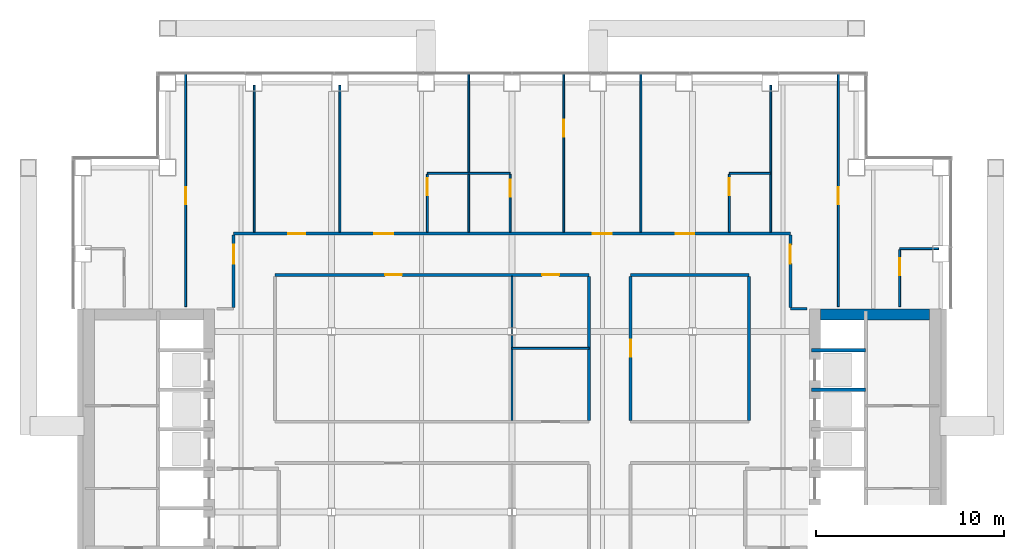
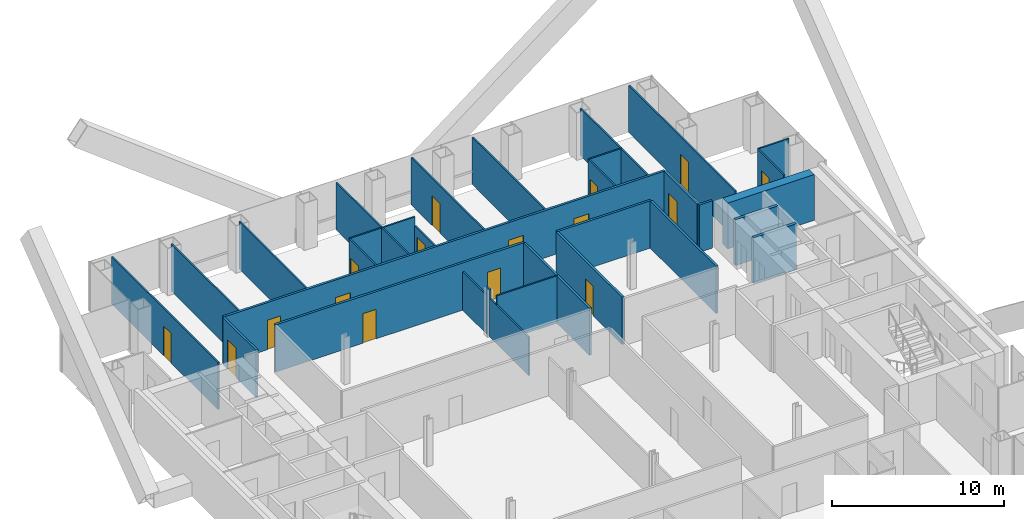
# One storey, part 14 of 17: 32 walls, 16 doors, 16 openings.
"""IFC4 building model written with IfcOpenShell, lengths in metres."""

import ifcopenshell
import ifcopenshell.guid

model = None  # the IFC model being written
_history = None  # IfcOwnerHistory: only IFC2X3 demands one
_inside = {}  # id of a spatial element -> (the spatial element, [elements in it])
_under = {}  # id of a project, library or spatial element -> (it, [spatial elements below it])
_declared = {}  # id of a project -> (the project, [libraries it declares])
_typed = {}  # id of a type object -> (the type object, [elements of that type])
_made_of = {}  # id of a material, layer set ... -> (it, [elements and type objects made of it])


def new_model(schema):
    """Start an empty IFC model of exactly this schema.

    Asked for "IFC4X3", IfcOpenShell would pick the latest addendum, in which some entities
    have other attributes; the version numbers below select the first issue.
    IFC2X3 requires an IfcOwnerHistory on every rooted entity: one is made here for all.
    """
    global model, _history
    if schema == "IFC4X3":
        model = ifcopenshell.file(schema_version=(4, 3, 0, 0))
    else:
        model = ifcopenshell.file(schema=schema)
    _inside.clear()
    _under.clear()
    _declared.clear()
    _typed.clear()
    _made_of.clear()
    _history = None
    if model.schema == "IFC2X3":
        org = make("IfcOrganization", Name="unknown")
        user = make(
            "IfcPersonAndOrganization",
            ThePerson=make("IfcPerson", FamilyName="unknown"),
            TheOrganization=org,
        )
        app = make(
            "IfcApplication",
            ApplicationDeveloper=org,
            Version="unknown",
            ApplicationFullName="unknown",
            ApplicationIdentifier="unknown",
        )
        _history = make(
            "IfcOwnerHistory",
            OwningUser=user,
            OwningApplication=app,
            ChangeAction="ADDED",
            CreationDate=0,
        )
    return model


def make(cls, **values):
    """One entity of the class cls with the attributes given. An attribute that is None is left unset."""
    return model.create_entity(
        cls, **{name: value for name, value in values.items() if value is not None}
    )


def rooted(cls, **values):
    """An entity with a GlobalId (a new one), such as an element, a storey or a relation."""
    return make(cls, GlobalId=ifcopenshell.guid.new(), OwnerHistory=_history, **values)


def si_unit(unit_type, name, prefix=None):
    """IfcSIUnit, for example si_unit("LENGTHUNIT", "METRE", prefix="MILLI")."""
    return make("IfcSIUnit", UnitType=unit_type, Prefix=prefix, Name=name)


def assignment(units):
    """IfcUnitAssignment: the units of a project."""
    return None if units is None else make("IfcUnitAssignment", Units=units)


def point(xyz):
    """IfcCartesianPoint."""
    return None if xyz is None else make("IfcCartesianPoint", Coordinates=xyz)


def direction(xyz):
    """IfcDirection."""
    return None if xyz is None else make("IfcDirection", DirectionRatios=xyz)


def frame(location, z_axis=None, x_axis=None):
    """IfcAxis2Placement3D, a coordinate frame: its origin and axes. An axis left out is left unset."""
    return make(
        "IfcAxis2Placement3D",
        Location=point(location),
        Axis=direction(z_axis),
        RefDirection=direction(x_axis),
    )


def frame_2d(location, x_axis=None):
    """IfcAxis2Placement2D, a coordinate frame in the plane: its origin and x axis."""
    return make(
        "IfcAxis2Placement2D", Location=point(location), RefDirection=direction(x_axis)
    )


def origin():
    """The frame at (0, 0, 0) with its axes left unset."""
    return frame((0.0, 0.0, 0.0))


def place(relative_to, where):
    """IfcLocalPlacement: puts the frame where relative to a parent placement (None: the world)."""
    return make(
        "IfcLocalPlacement", PlacementRelTo=relative_to, RelativePlacement=where
    )


def context(
    kind, dimensions, precision=None, world=None, true_north=None, identifier=None
):
    """IfcGeometricRepresentationContext, for example the 3D "Model" context."""
    return make(
        "IfcGeometricRepresentationContext",
        ContextIdentifier=identifier,
        ContextType=kind,
        CoordinateSpaceDimension=dimensions,
        Precision=precision,
        WorldCoordinateSystem=world,
        TrueNorth=true_north,
    )


def subcontext(parent, identifier, kind, view, scale=None):
    """IfcGeometricRepresentationSubContext, for example "Body" below "Model"."""
    return make(
        "IfcGeometricRepresentationSubContext",
        ContextIdentifier=identifier,
        ContextType=kind,
        ParentContext=parent,
        TargetScale=scale,
        TargetView=view,
    )


def project(units=None, contexts=None):
    """IfcProject with its units and contexts."""
    return rooted(
        "IfcProject",
        Name="project",
        RepresentationContexts=contexts,
        UnitsInContext=assignment(units),
    )


def spatial(cls, under=None, at=None, **own):
    """A site, building, storey or space (cls), placed at a placement, below another one or the project."""
    s = rooted(cls, ObjectPlacement=at, **own)
    if under is not None:
        _under.setdefault(under.id(), (under, []))[1].append(s)
    return s


def profile(cls, at=None, kind="AREA", **sizes):
    """A parametric profile (cls). Its sizes go by their IFC names, for example OverallWidth=200.0."""
    return make(cls, ProfileType=kind, Position=at, **sizes)


def rectangle(**sizes):
    """IfcRectangleProfileDef."""
    return profile("IfcRectangleProfileDef", **sizes)


def extrude(swept, where, along, depth):
    """IfcExtrudedAreaSolid: the profile swept, set in the frame where, extruded along a direction by depth."""
    return make(
        "IfcExtrudedAreaSolid",
        SweptArea=swept,
        Position=where,
        ExtrudedDirection=direction(along),
        Depth=depth,
    )


def shape(context_of_items, identifier, shape_type, items):
    """IfcShapeRepresentation: the items that make up one representation, for example the "Body"."""
    return make(
        "IfcShapeRepresentation",
        ContextOfItems=context_of_items,
        RepresentationIdentifier=identifier,
        RepresentationType=shape_type,
        Items=items,
    )


def material(Name=None, Category=None):
    """IfcMaterial."""
    return make("IfcMaterial", Name=Name, Category=Category)


def layer(
    of_material, thickness, ventilated=None, Name=None, Category=None, Priority=None
):
    """IfcMaterialLayer: one layer of a wall or slab, of a material (None: an air gap)."""
    return make(
        "IfcMaterialLayer",
        Material=of_material,
        LayerThickness=thickness,
        IsVentilated=ventilated,
        Name=Name,
        Category=Category,
        Priority=Priority,
    )


def layer_set(layers, Name=None):
    """IfcMaterialLayerSet."""
    return make("IfcMaterialLayerSet", MaterialLayers=layers, LayerSetName=Name)


def made_of(thing, what):
    """Note that an element or type object is made of a material, layer set ...; save() writes the relation."""
    if what is not None:
        _made_of.setdefault(what.id(), (what, []))[1].append(thing)
    return thing


def type_object(cls, material=None, **own):
    """A type object (cls), such as IfcWallType, which elements share."""
    return made_of(rooted(cls, **own), material)


def element(
    cls,
    number,
    at=None,
    inside=None,
    cuts=None,
    type_object=None,
    material=None,
    context=None,
    identifier="Body",
    shape_type=None,
    held_by="IfcProductDefinitionShape",
    body=None,
    shapes=None,
    **own,
):
    """One element of the class cls, such as IfcWall. Its Tag is "e" and its number.

    at: its placement. inside: the storey or other place that contains it. cuts: it is an
    opening in that element (IfcRelVoidsElement). A single representation is given by context,
    identifier, shape_type and body (its items); several are given by shapes. held_by: the class
    of the entity that holds the representations. save() writes the other relations.
    """
    e = rooted(cls, Tag="e%d" % number, ObjectPlacement=at, **own)
    if body is not None:
        shapes = [shape(context, identifier, shape_type, body)]
    if shapes is not None:
        e.Representation = make(held_by, Representations=shapes)
    if inside is not None:
        _inside.setdefault(inside.id(), (inside, []))[1].append(e)
    if cuts is not None:
        rooted(
            "IfcRelVoidsElement", RelatingBuildingElement=cuts, RelatedOpeningElement=e
        )
    if type_object is not None:
        _typed.setdefault(type_object.id(), (type_object, []))[1].append(e)
    return made_of(e, material)


def fill(opening, filler):
    """IfcRelFillsElement: the door or window that sits in an opening."""
    return rooted(
        "IfcRelFillsElement",
        RelatingOpeningElement=opening,
        RelatedBuildingElement=filler,
    )


def aggregate(whole, parts):
    """IfcRelAggregates: a whole, such as a stair, and the parts it consists of."""
    return rooted("IfcRelAggregates", RelatingObject=whole, RelatedObjects=parts)


def save(model, path):
    """Write the relations noted so far, then the file.

    IfcRelAggregates (storeys below a building ...), IfcRelContainedInSpatialStructure (elements
    in a storey), IfcRelDefinesByType, IfcRelAssociatesMaterial and IfcRelDeclares: one each for
    every whole, place, type object, material and project.
    """
    for whole, parts in _under.values():
        aggregate(whole, parts)
    for where, things in _inside.values():
        rooted(
            "IfcRelContainedInSpatialStructure",
            RelatedElements=things,
            RelatingStructure=where,
        )
    for kind, things in _typed.values():
        rooted("IfcRelDefinesByType", RelatedObjects=things, RelatingType=kind)
    for what, things in _made_of.values():
        rooted("IfcRelAssociatesMaterial", RelatedObjects=things, RelatingMaterial=what)
    for by, libraries in _declared.values():
        rooted("IfcRelDeclares", RelatingContext=by, RelatedDefinitions=libraries)
    model.write(path)


model = new_model("IFC4")

# Units and contexts
model_context = context("Model", 3, precision=1e-05, world=origin(), true_north=direction((0.0, 1.0)))
body_context = subcontext(model_context, "Body", "Model", "MODEL_VIEW")
ifc_project = project(units=[si_unit("LENGTHUNIT", "METRE"), si_unit("AREAUNIT", "SQUARE_METRE"), si_unit("VOLUMEUNIT", "CUBIC_METRE"), si_unit("PLANEANGLEUNIT", "RADIAN"), si_unit("MASSUNIT", "GRAM", prefix="KILO")], contexts=[model_context])

# Site, building, storey
site_placement = place(None, origin())
site = spatial("IfcSite", under=ifc_project, at=site_placement, CompositionType="ELEMENT")
building_placement = place(site_placement, origin())
building = spatial("IfcBuilding", under=site, at=building_placement, Name="Cobrizo Arcos Hotel Tower", CompositionType="ELEMENT")
storey_placement = place(building_placement, frame((0.0, 0.0, 106.5)))
storey = spatial("IfcBuildingStorey", under=building, at=storey_placement, Name="L26", CompositionType="ELEMENT", Elevation=106.5)

# Wall
ifc_material_1 = material(Name="Gypsum board partition")
ifc_layer_1 = layer(ifc_material_1, 0.14990234375)
ifc_layer_set_1 = layer_set([ifc_layer_1], Name="Corridor wall EI 60 150")
wall_type_1 = type_object("IfcWallType", Name="Corridor wall EI 60 150", PredefinedType="PARTITIONING", material=ifc_layer_set_1)
wall_1_placement = place(storey_placement, frame((14.800048828125, 10.800048828125, 0.0), z_axis=(0.0, 0.0, 1.0), x_axis=(1.0, 0.0, 0.0)))
element("IfcWall", 1, at=wall_1_placement, inside=storey, type_object=wall_type_1, Name="Partition 042", PredefinedType="PARTITIONING", context=body_context, shape_type="SweptSolid", body=[
    extrude(rectangle(XDim=0.8798828125, YDim=0.14990234375, at=frame_2d((0.43994140625, 0.0))), origin(), (0.0, 0.0, 1.0), 3.35009765625),
])

# Wall, openings, doors
wall_2_placement = place(storey_placement, frame((-12.60009765625, 12.60009765625, 0.0), z_axis=(0.0, 0.0, 1.0), x_axis=(1.0, 0.0, 0.0)))
wall_2 = element("IfcWall", 2, at=wall_2_placement, inside=storey, type_object=wall_type_1, Name="Partition 043", PredefinedType="PARTITIONING", context=body_context, shape_type="SweptSolid", body=[
    extrude(rectangle(XDim=16.7001953125, YDim=0.14990234375, at=frame_2d((8.35009765625, 0.0))), origin(), (0.0, 0.0, 1.0), 3.35009765625),
])
opening_1_placement = place(wall_2_placement, frame((14.199951171875, 0.0, 0.0)))
opening_1 = element("IfcOpeningElement", 3, at=opening_1_placement, cuts=wall_2, Name="Opening ED-14", PredefinedType="OPENING", context=body_context, shape_type="SweptSolid", body=[
    extrude(rectangle(XDim=0.89990234375, YDim=2.10009765625, at=frame_2d((0.449951171875, 1.050048828125))), frame((0.0, 0.0869140625, 0.0), z_axis=(0.0, -1.0, 0.0), x_axis=(1.0, 0.0, 0.0)), (0.0, 0.0, 1.0), 0.173828125),
])
opening_2_placement = place(wall_2_placement, frame((5.85009765625, 0.0, 0.0)))
opening_2 = element("IfcOpeningElement", 4, at=opening_2_placement, cuts=wall_2, Name="Opening RD-22", PredefinedType="OPENING", context=body_context, shape_type="SweptSolid", body=[
    extrude(rectangle(XDim=0.89990234375, YDim=2.10009765625, at=frame_2d((0.449951171875, 1.050048828125))), frame((0.0, 0.0869140625, 0.0), z_axis=(0.0, -1.0, 0.0), x_axis=(1.0, 0.0, 0.0)), (0.0, 0.0, 1.0), 0.173828125),
])
ifc_material_2 = material(Name="Timber door leaf", Category="wood")
door_type_1 = type_object("IfcDoorType", Name="En-suite door 900x2100", OperationType="SINGLE_SWING_LEFT", PredefinedType="DOOR", material=ifc_material_2)
door_1_placement = place(opening_1_placement, origin())
door_1 = element("IfcDoor", 5, at=door_1_placement, inside=storey, type_object=door_type_1, Name="Door ED-14", OperationType="SINGLE_SWING_LEFT", OverallHeight=2.10009765625, OverallWidth=0.89990234375, PredefinedType="DOOR", context=body_context, shape_type="SweptSolid", body=[
    extrude(rectangle(XDim=0.89990234375, YDim=2.10009765625, at=frame_2d((0.449951171875, 1.050048828125))), frame((0.0, 0.02490234375, 0.0), z_axis=(0.0, -1.0, 0.0), x_axis=(1.0, 0.0, 0.0)), (0.0, 0.0, 1.0), 0.050048828125),
])
fill(opening_1, door_1)
door_type_2 = type_object("IfcDoorType", Name="Room door FD30 900x2100", OperationType="SINGLE_SWING_LEFT", PredefinedType="DOOR", material=ifc_material_2)
door_2_placement = place(opening_2_placement, origin())
door_2 = element("IfcDoor", 6, at=door_2_placement, inside=storey, type_object=door_type_2, Name="Door RD-22", OperationType="SINGLE_SWING_RIGHT", OverallHeight=2.10009765625, OverallWidth=0.89990234375, PredefinedType="DOOR", context=body_context, shape_type="SweptSolid", body=[
    extrude(rectangle(XDim=0.89990234375, YDim=2.10009765625, at=frame_2d((0.449951171875, 1.050048828125))), frame((0.0, 0.02490234375, 0.0), z_axis=(0.0, -1.0, 0.0), x_axis=(1.0, 0.0, 0.0)), (0.0, 0.0, 1.0), 0.050048828125),
])
fill(opening_2, door_2)

# Wall
wall_3_placement = place(storey_placement, frame((6.300048828125, 12.60009765625, 0.0), z_axis=(0.0, 0.0, 1.0), x_axis=(1.0, 0.0, 0.0)))
element("IfcWall", 7, at=wall_3_placement, inside=storey, type_object=wall_type_1, Name="Partition 044", PredefinedType="PARTITIONING", context=body_context, shape_type="SweptSolid", body=[
    extrude(rectangle(XDim=6.300048828125, YDim=0.14990234375, at=frame_2d((3.14990234375, 0.0))), origin(), (0.0, 0.0, 1.0), 3.35009765625),
])

# Wall, openings, doors
wall_4_placement = place(storey_placement, frame((-14.800048828125, 14.800048828125, 0.0), z_axis=(0.0, 0.0, 1.0), x_axis=(1.0, 0.0, 0.0)))
wall_4 = element("IfcWall", 8, at=wall_4_placement, inside=storey, type_object=wall_type_1, Name="Partition 047", PredefinedType="PARTITIONING", context=body_context, shape_type="SweptSolid", body=[
    extrude(rectangle(XDim=29.60009765625, YDim=0.14990234375, at=frame_2d((14.800048828125, 0.0))), origin(), (0.0, 0.0, 1.0), 3.35009765625),
])
opening_3_placement = place(wall_4_placement, frame((2.9130859375, 0.0, 0.0)))
opening_3 = element("IfcOpeningElement", 9, at=opening_3_placement, cuts=wall_4, Name="Opening RD-11", PredefinedType="OPENING", context=body_context, shape_type="SweptSolid", body=[
    extrude(rectangle(XDim=0.89990234375, YDim=2.10009765625, at=frame_2d((0.449951171875, 1.050048828125))), frame((0.0, 0.0869140625, 0.0), z_axis=(0.0, -1.0, 0.0), x_axis=(1.0, 0.0, 0.0)), (0.0, 0.0, 1.0), 0.173828125),
])
opening_4_placement = place(wall_4_placement, frame((7.48095703125, 0.0, 0.0)))
opening_4 = element("IfcOpeningElement", 10, at=opening_4_placement, cuts=wall_4, Name="Opening GD-01", PredefinedType="OPENING", context=body_context, shape_type="SweptSolid", body=[
    extrude(rectangle(XDim=1.0, YDim=2.10009765625, at=frame_2d((0.5, 1.050048828125))), frame((0.0, 0.0869140625, 0.0), z_axis=(0.0, -1.0, 0.0), x_axis=(1.0, 0.0, 0.0)), (0.0, 0.0, 1.0), 0.173828125),
])
opening_5_placement = place(wall_4_placement, frame((19.10400390625, 0.0, 0.0)))
opening_5 = element("IfcOpeningElement", 11, at=opening_5_placement, cuts=wall_4, Name="Opening GD-02", PredefinedType="OPENING", context=body_context, shape_type="SweptSolid", body=[
    extrude(rectangle(XDim=1.0, YDim=2.10009765625, at=frame_2d((0.5, 1.050048828125))), frame((0.0, 0.0869140625, 0.0), z_axis=(0.0, -1.0, 0.0), x_axis=(1.0, 0.0, 0.0)), (0.0, 0.0, 1.0), 0.173828125),
])
opening_6_placement = place(wall_4_placement, frame((23.493896484375, 0.0, 0.0)))
opening_6 = element("IfcOpeningElement", 12, at=opening_6_placement, cuts=wall_4, Name="Opening GD-03", PredefinedType="OPENING", context=body_context, shape_type="SweptSolid", body=[
    extrude(rectangle(XDim=1.0, YDim=2.10009765625, at=frame_2d((0.5, 1.050048828125))), frame((0.0, 0.0869140625, 0.0), z_axis=(0.0, -1.0, 0.0), x_axis=(1.0, 0.0, 0.0)), (0.0, 0.0, 1.0), 0.173828125),
])
door_type_3 = type_object("IfcDoorType", Name="Guest room door FD30S 1000x2100", OperationType="SINGLE_SWING_LEFT", PredefinedType="DOOR", material=ifc_material_2)
door_3_placement = place(opening_4_placement, origin())
door_3 = element("IfcDoor", 13, at=door_3_placement, inside=storey, type_object=door_type_3, Name="Door GD-01", OperationType="SINGLE_SWING_LEFT", OverallHeight=2.10009765625, OverallWidth=1.0, PredefinedType="DOOR", context=body_context, shape_type="SweptSolid", body=[
    extrude(rectangle(XDim=1.0, YDim=2.10009765625, at=frame_2d((0.5, 1.050048828125))), frame((0.0, 0.02490234375, 0.0), z_axis=(0.0, -1.0, 0.0), x_axis=(1.0, 0.0, 0.0)), (0.0, 0.0, 1.0), 0.050048828125),
])
fill(opening_4, door_3)
door_4_placement = place(opening_5_placement, origin())
door_4 = element("IfcDoor", 14, at=door_4_placement, inside=storey, type_object=door_type_3, Name="Door GD-02", OperationType="SINGLE_SWING_RIGHT", OverallHeight=2.10009765625, OverallWidth=1.0, PredefinedType="DOOR", context=body_context, shape_type="SweptSolid", body=[
    extrude(rectangle(XDim=1.0, YDim=2.10009765625, at=frame_2d((0.5, 1.050048828125))), frame((0.0, 0.02490234375, 0.0), z_axis=(0.0, -1.0, 0.0), x_axis=(1.0, 0.0, 0.0)), (0.0, 0.0, 1.0), 0.050048828125),
])
fill(opening_5, door_4)
door_5_placement = place(opening_6_placement, origin())
door_5 = element("IfcDoor", 15, at=door_5_placement, inside=storey, type_object=door_type_3, Name="Door GD-03", OperationType="SINGLE_SWING_RIGHT", OverallHeight=2.10009765625, OverallWidth=1.0, PredefinedType="DOOR", context=body_context, shape_type="SweptSolid", body=[
    extrude(rectangle(XDim=1.0, YDim=2.10009765625, at=frame_2d((0.5, 1.050048828125))), frame((0.0, 0.02490234375, 0.0), z_axis=(0.0, -1.0, 0.0), x_axis=(1.0, 0.0, 0.0)), (0.0, 0.0, 1.0), 0.050048828125),
])
fill(opening_6, door_5)
door_6_placement = place(opening_3_placement, origin())
door_6 = element("IfcDoor", 16, at=door_6_placement, inside=storey, type_object=door_type_2, Name="Door RD-11", OperationType="SINGLE_SWING_RIGHT", OverallHeight=2.10009765625, OverallWidth=0.89990234375, PredefinedType="DOOR", context=body_context, shape_type="SweptSolid", body=[
    extrude(rectangle(XDim=0.89990234375, YDim=2.10009765625, at=frame_2d((0.449951171875, 1.050048828125))), frame((0.0, 0.02490234375, 0.0), z_axis=(0.0, -1.0, 0.0), x_axis=(1.0, 0.0, 0.0)), (0.0, 0.0, 1.0), 0.050048828125),
])
fill(opening_3, door_6)

# Wall, opening, door
wall_5_placement = place(storey_placement, frame((-14.800048828125, 10.875, 0.0), z_axis=(0.0, 0.0, 1.0), x_axis=(0.0, 1.0, 0.0)))
wall_5 = element("IfcWall", 17, at=wall_5_placement, inside=storey, type_object=wall_type_1, Name="Partition 058", PredefinedType="PARTITIONING", context=body_context, shape_type="SweptSolid", body=[
    extrude(rectangle(XDim=3.85009765625, YDim=0.14990234375, at=frame_2d((1.925048828125, 0.0))), origin(), (0.0, 0.0, 1.0), 3.35009765625),
])
opening_7_placement = place(wall_5_placement, frame((2.324951171875, 0.0, 0.0)))
opening_7 = element("IfcOpeningElement", 18, at=opening_7_placement, cuts=wall_5, Name="Opening GD-08", PredefinedType="OPENING", context=body_context, shape_type="SweptSolid", body=[
    extrude(rectangle(XDim=1.0, YDim=2.10009765625, at=frame_2d((0.5, 1.050048828125))), frame((0.0, 0.0869140625, 0.0), z_axis=(0.0, -1.0, 0.0), x_axis=(1.0, 0.0, 0.0)), (0.0, 0.0, 1.0), 0.173828125),
])
door_7_placement = place(opening_7_placement, origin())
door_7 = element("IfcDoor", 19, at=door_7_placement, inside=storey, type_object=door_type_3, Name="Door GD-08", OperationType="SINGLE_SWING_LEFT", OverallHeight=2.10009765625, OverallWidth=1.0, PredefinedType="DOOR", context=body_context, shape_type="SweptSolid", body=[
    extrude(rectangle(XDim=1.0, YDim=2.10009765625, at=frame_2d((0.5, 1.050048828125))), frame((0.0, 0.02490234375, 0.0), z_axis=(0.0, -1.0, 0.0), x_axis=(1.0, 0.0, 0.0)), (0.0, 0.0, 1.0), 0.050048828125),
])
fill(opening_7, door_7)

# Wall
wall_6_placement = place(storey_placement, frame((4.10009765625, 4.875, 0.0), z_axis=(0.0, 0.0, 1.0), x_axis=(0.0, 1.0, 0.0)))
element("IfcWall", 20, at=wall_6_placement, inside=storey, type_object=wall_type_1, Name="Partition 086", PredefinedType="PARTITIONING", context=body_context, shape_type="SweptSolid", body=[
    extrude(rectangle(XDim=7.64990234375, YDim=0.14990234375, at=frame_2d((3.824951171875, 0.0))), origin(), (0.0, 0.0, 1.0), 3.35009765625),
])

# Wall, opening, door
wall_7_placement = place(storey_placement, frame((6.300048828125, 4.875, 0.0), z_axis=(0.0, 0.0, 1.0), x_axis=(0.0, 1.0, 0.0)))
wall_7 = element("IfcWall", 21, at=wall_7_placement, inside=storey, type_object=wall_type_1, Name="Partition 088", PredefinedType="PARTITIONING", context=body_context, shape_type="SweptSolid", body=[
    extrude(rectangle(XDim=7.64990234375, YDim=0.14990234375, at=frame_2d((3.824951171875, 0.0))), origin(), (0.0, 0.0, 1.0), 3.35009765625),
])
opening_8_placement = place(wall_7_placement, frame((3.375, 0.0, 0.0)))
opening_8 = element("IfcOpeningElement", 22, at=opening_8_placement, cuts=wall_7, Name="Opening RD-19", PredefinedType="OPENING", context=body_context, shape_type="SweptSolid", body=[
    extrude(rectangle(XDim=0.89990234375, YDim=2.10009765625, at=frame_2d((0.449951171875, 1.050048828125))), frame((0.0, 0.0869140625, 0.0), z_axis=(0.0, -1.0, 0.0), x_axis=(1.0, 0.0, 0.0)), (0.0, 0.0, 1.0), 0.173828125),
])
door_8_placement = place(opening_8_placement, origin())
door_8 = element("IfcDoor", 23, at=door_8_placement, inside=storey, type_object=door_type_2, Name="Door RD-19", OperationType="SINGLE_SWING_RIGHT", OverallHeight=2.10009765625, OverallWidth=0.89990234375, PredefinedType="DOOR", context=body_context, shape_type="SweptSolid", body=[
    extrude(rectangle(XDim=0.89990234375, YDim=2.10009765625, at=frame_2d((0.449951171875, 1.050048828125))), frame((0.0, 0.02490234375, 0.0), z_axis=(0.0, -1.0, 0.0), x_axis=(1.0, 0.0, 0.0)), (0.0, 0.0, 1.0), 0.050048828125),
])
fill(opening_8, door_8)

# Wall
wall_8_placement = place(storey_placement, frame((12.60009765625, 4.875, 0.0), z_axis=(0.0, 0.0, 1.0), x_axis=(0.0, 1.0, 0.0)))
element("IfcWall", 24, at=wall_8_placement, inside=storey, type_object=wall_type_1, Name="Partition 095", PredefinedType="PARTITIONING", context=body_context, shape_type="SweptSolid", body=[
    extrude(rectangle(XDim=7.64990234375, YDim=0.14990234375, at=frame_2d((3.824951171875, 0.0))), origin(), (0.0, 0.0, 1.0), 3.35009765625),
])

# Wall, opening, door
wall_9_placement = place(storey_placement, frame((14.800048828125, 10.875, 0.0), z_axis=(0.0, 0.0, 1.0), x_axis=(0.0, 1.0, 0.0)))
wall_9 = element("IfcWall", 25, at=wall_9_placement, inside=storey, type_object=wall_type_1, Name="Partition 099", PredefinedType="PARTITIONING", context=body_context, shape_type="SweptSolid", body=[
    extrude(rectangle(XDim=3.85009765625, YDim=0.14990234375, at=frame_2d((1.925048828125, 0.0))), origin(), (0.0, 0.0, 1.0), 3.35009765625),
])
opening_9_placement = place(wall_9_placement, frame((2.324951171875, 0.0, 0.0)))
opening_9 = element("IfcOpeningElement", 26, at=opening_9_placement, cuts=wall_9, Name="Opening GD-10", PredefinedType="OPENING", context=body_context, shape_type="SweptSolid", body=[
    extrude(rectangle(XDim=1.0, YDim=2.10009765625, at=frame_2d((0.5, 1.050048828125))), frame((0.0, 0.0869140625, 0.0), z_axis=(0.0, -1.0, 0.0), x_axis=(1.0, 0.0, 0.0)), (0.0, 0.0, 1.0), 0.173828125),
])
door_9_placement = place(opening_9_placement, origin())
door_9 = element("IfcDoor", 27, at=door_9_placement, inside=storey, type_object=door_type_3, Name="Door GD-10", OperationType="SINGLE_SWING_RIGHT", OverallHeight=2.10009765625, OverallWidth=1.0, PredefinedType="DOOR", context=body_context, shape_type="SweptSolid", body=[
    extrude(rectangle(XDim=1.0, YDim=2.10009765625, at=frame_2d((0.5, 1.050048828125))), frame((0.0, 0.02490234375, 0.0), z_axis=(0.0, -1.0, 0.0), x_axis=(1.0, 0.0, 0.0)), (0.0, 0.0, 1.0), 0.050048828125),
])
fill(opening_9, door_9)

# Walls
ifc_layer_2 = layer(ifc_material_1, 0.10009765625)
ifc_layer_set_2 = layer_set([ifc_layer_2], Name="Partition EI 30 100")
wall_type_2 = type_object("IfcWallType", Name="Partition EI 30 100", PredefinedType="PARTITIONING", material=ifc_layer_set_2)
wall_10_placement = place(storey_placement, frame((0.0, 8.699951171875, 0.0), z_axis=(0.0, 0.0, 1.0), x_axis=(1.0, 0.0, 0.0)))
element("IfcWall", 28, at=wall_10_placement, inside=storey, type_object=wall_type_2, Name="Partition 040", PredefinedType="PARTITIONING", context=body_context, shape_type="SweptSolid", body=[
    extrude(rectangle(XDim=4.10009765625, YDim=0.10009765625, at=frame_2d((2.050048828125, 0.0))), origin(), (0.0, 0.0, 1.0), 3.35009765625),
])
wall_11_placement = place(storey_placement, frame((20.60009765625, 14.0, 0.0), z_axis=(0.0, 0.0, 1.0), x_axis=(1.0, 0.0, 0.0)))
element("IfcWall", 29, at=wall_11_placement, inside=storey, type_object=wall_type_2, Name="Partition 046", PredefinedType="PARTITIONING", context=body_context, shape_type="SweptSolid", body=[
    extrude(rectangle(XDim=2.079833984375, YDim=0.10009765625, at=frame_2d((1.0400390625, 0.0))), origin(), (0.0, 0.0, 1.0), 3.35009765625),
])
wall_12_placement = place(storey_placement, frame((-4.5, 18.0, 0.0), z_axis=(0.0, 0.0, 1.0), x_axis=(1.0, 0.0, 0.0)))
element("IfcWall", 30, at=wall_12_placement, inside=storey, type_object=wall_type_2, Name="Partition 048", PredefinedType="PARTITIONING", context=body_context, shape_type="SweptSolid", body=[
    extrude(rectangle(XDim=4.39990234375, YDim=0.10009765625, at=frame_2d((2.199951171875, 0.0))), origin(), (0.0, 0.0, 1.0), 3.35009765625),
])
wall_13_placement = place(storey_placement, frame((11.550048828125, 18.0, 0.0), z_axis=(0.0, 0.0, 1.0), x_axis=(1.0, 0.0, 0.0)))
element("IfcWall", 31, at=wall_13_placement, inside=storey, type_object=wall_type_2, Name="Partition 049", PredefinedType="PARTITIONING", context=body_context, shape_type="SweptSolid", body=[
    extrude(rectangle(XDim=2.199951171875, YDim=0.10009765625, at=frame_2d((1.10009765625, 0.0))), origin(), (0.0, 0.0, 1.0), 3.35009765625),
])

# Wall, opening, door
wall_14_placement = place(storey_placement, frame((-17.35009765625, 10.919921875, 0.0), z_axis=(0.0, 0.0, 1.0), x_axis=(0.0, 1.0, 0.0)))
wall_14 = element("IfcWall", 32, at=wall_14_placement, inside=storey, type_object=wall_type_2, Name="Partition 056", PredefinedType="PARTITIONING", context=body_context, shape_type="SweptSolid", body=[
    extrude(rectangle(XDim=12.360107421875, YDim=0.10009765625, at=frame_2d((6.18017578125, 0.0))), origin(), (0.0, 0.0, 1.0), 3.35009765625),
])
opening_10_placement = place(wall_14_placement, frame((5.429931640625, 0.0, 0.0)))
opening_10 = element("IfcOpeningElement", 33, at=opening_10_placement, cuts=wall_14, Name="Opening RD-16", PredefinedType="OPENING", context=body_context, shape_type="SweptSolid", body=[
    extrude(rectangle(XDim=0.89990234375, YDim=2.10009765625, at=frame_2d((0.449951171875, 1.050048828125))), frame((0.0, 0.06201171875, 0.0), z_axis=(0.0, -1.0, 0.0), x_axis=(1.0, 0.0, 0.0)), (0.0, 0.0, 1.0), 0.1240234375),
])
door_10_placement = place(opening_10_placement, origin())
door_10 = element("IfcDoor", 34, at=door_10_placement, inside=storey, type_object=door_type_2, Name="Door RD-16", OperationType="SINGLE_SWING_RIGHT", OverallHeight=2.10009765625, OverallWidth=0.89990234375, PredefinedType="DOOR", context=body_context, shape_type="SweptSolid", body=[
    extrude(rectangle(XDim=0.89990234375, YDim=2.10009765625, at=frame_2d((0.449951171875, 1.050048828125))), frame((0.0, 0.02490234375, 0.0), z_axis=(0.0, -1.0, 0.0), x_axis=(1.0, 0.0, 0.0)), (0.0, 0.0, 1.0), 0.050048828125),
])
fill(opening_10, door_10)

# Walls
for number, where, z_axis, x_axis, name in (
    (35, (-13.699951171875, 14.875, 0.0), (0.0, 0.0, 1.0), (0.0, 1.0, 0.0), "Partition 060"),
    (36, (-9.14990234375, 14.875, 0.0), (0.0, 0.0, 1.0), (0.0, 1.0, 0.0), "Partition 066"),
):
    element("IfcWall", number, at=place(storey_placement, frame(where, z_axis=z_axis, x_axis=x_axis)), inside=storey, type_object=wall_type_2, Name=name, PredefinedType="PARTITIONING", context=body_context, shape_type="SweptSolid", body=[
        extrude(rectangle(XDim=7.804931640625, YDim=0.10009765625, at=frame_2d((3.90234375, 0.0))), origin(), (0.0, 0.0, 1.0), 3.35009765625),
    ])

# Wall, opening, door
wall_15_placement = place(storey_placement, frame((-4.5, 14.875, 0.0), z_axis=(0.0, 0.0, 1.0), x_axis=(0.0, 1.0, 0.0)))
wall_15 = element("IfcWall", 37, at=wall_15_placement, inside=storey, type_object=wall_type_2, Name="Partition 070", PredefinedType="PARTITIONING", context=body_context, shape_type="SweptSolid", body=[
    extrude(rectangle(XDim=3.074951171875, YDim=0.10009765625, at=frame_2d((1.53759765625, 0.0))), origin(), (0.0, 0.0, 1.0), 3.35009765625),
])
opening_11_placement = place(wall_15_placement, frame((1.970947265625, 0.0, 0.0)))
opening_11 = element("IfcOpeningElement", 38, at=opening_11_placement, cuts=wall_15, Name="Opening ED-03", PredefinedType="OPENING", context=body_context, shape_type="SweptSolid", body=[
    extrude(rectangle(XDim=0.89990234375, YDim=2.10009765625, at=frame_2d((0.449951171875, 1.050048828125))), frame((0.0, 0.06201171875, 0.0), z_axis=(0.0, -1.0, 0.0), x_axis=(1.0, 0.0, 0.0)), (0.0, 0.0, 1.0), 0.1240234375),
])
door_11_placement = place(opening_11_placement, origin())
door_11 = element("IfcDoor", 39, at=door_11_placement, inside=storey, type_object=door_type_1, Name="Door ED-03", OperationType="SINGLE_SWING_LEFT", OverallHeight=2.10009765625, OverallWidth=0.89990234375, PredefinedType="DOOR", context=body_context, shape_type="SweptSolid", body=[
    extrude(rectangle(XDim=0.89990234375, YDim=2.10009765625, at=frame_2d((0.449951171875, 1.050048828125))), frame((0.0, 0.02490234375, 0.0), z_axis=(0.0, -1.0, 0.0), x_axis=(1.0, 0.0, 0.0)), (0.0, 0.0, 1.0), 0.050048828125),
])
fill(opening_11, door_11)

# Walls
wall_16_placement = place(storey_placement, frame((-2.300048828125, 14.875, 0.0), z_axis=(0.0, 0.0, 1.0), x_axis=(0.0, 1.0, 0.0)))
element("IfcWall", 40, at=wall_16_placement, inside=storey, type_object=wall_type_2, Name="Partition 072", PredefinedType="PARTITIONING", context=body_context, shape_type="SweptSolid", body=[
    extrude(rectangle(XDim=3.074951171875, YDim=0.10009765625, at=frame_2d((1.53759765625, 0.0))), origin(), (0.0, 0.0, 1.0), 3.35009765625),
])
wall_17_placement = place(storey_placement, frame((-2.300048828125, 18.050048828125, 0.0), z_axis=(0.0, 0.0, 1.0), x_axis=(0.0, 1.0, 0.0)))
element("IfcWall", 41, at=wall_17_placement, inside=storey, type_object=wall_type_2, Name="Partition 073", PredefinedType="PARTITIONING", context=body_context, shape_type="SweptSolid", body=[
    extrude(rectangle(XDim=5.22998046875, YDim=0.10009765625, at=frame_2d((2.614990234375, 0.0))), origin(), (0.0, 0.0, 1.0), 3.35009765625),
])

# Wall, opening, door
wall_18_placement = place(storey_placement, frame((-0.10009765625, 14.875, 0.0), z_axis=(0.0, 0.0, 1.0), x_axis=(0.0, 1.0, 0.0)))
wall_18 = element("IfcWall", 42, at=wall_18_placement, inside=storey, type_object=wall_type_2, Name="Partition 074", PredefinedType="PARTITIONING", context=body_context, shape_type="SweptSolid", body=[
    extrude(rectangle(XDim=3.074951171875, YDim=0.10009765625, at=frame_2d((1.53759765625, 0.0))), origin(), (0.0, 0.0, 1.0), 2.72802734375),
])
opening_12_placement = place(wall_18_placement, frame((1.875, 0.0, 0.0)))
opening_12 = element("IfcOpeningElement", 43, at=opening_12_placement, cuts=wall_18, Name="Opening ED-04", PredefinedType="OPENING", context=body_context, shape_type="SweptSolid", body=[
    extrude(rectangle(XDim=0.89990234375, YDim=2.10009765625, at=frame_2d((0.449951171875, 1.050048828125))), frame((0.0, 0.06201171875, 0.0), z_axis=(0.0, -1.0, 0.0), x_axis=(1.0, 0.0, 0.0)), (0.0, 0.0, 1.0), 0.1240234375),
])
door_12_placement = place(opening_12_placement, origin())
door_12 = element("IfcDoor", 44, at=door_12_placement, inside=storey, type_object=door_type_1, Name="Door ED-04", OperationType="SINGLE_SWING_LEFT", OverallHeight=2.10009765625, OverallWidth=0.89990234375, PredefinedType="DOOR", context=body_context, shape_type="SweptSolid", body=[
    extrude(rectangle(XDim=0.89990234375, YDim=2.10009765625, at=frame_2d((0.449951171875, 1.050048828125))), frame((0.0, 0.02490234375, 0.0), z_axis=(0.0, -1.0, 0.0), x_axis=(1.0, 0.0, 0.0)), (0.0, 0.0, 1.0), 0.050048828125),
])
fill(opening_12, door_12)

# Walls
wall_19_placement = place(storey_placement, frame((0.0, 4.875, 0.0), z_axis=(0.0, 0.0, 1.0), x_axis=(0.0, 1.0, 0.0)))
element("IfcWall", 45, at=wall_19_placement, inside=storey, type_object=wall_type_2, Name="Partition 080", PredefinedType="PARTITIONING", context=body_context, shape_type="SweptSolid", body=[
    extrude(rectangle(XDim=4.52587890625, YDim=0.10009765625, at=frame_2d((2.262939453125, 0.0))), origin(), (0.0, 0.0, 1.0), 2.72802734375),
])
wall_20_placement = place(storey_placement, frame((0.0, 9.40087890625, 0.0), z_axis=(0.0, 0.0, 1.0), x_axis=(0.0, 1.0, 0.0)))
element("IfcWall", 46, at=wall_20_placement, inside=storey, type_object=wall_type_2, Name="Partition 081", PredefinedType="PARTITIONING", context=body_context, shape_type="SweptSolid", body=[
    extrude(rectangle(XDim=0.398193359375, YDim=0.10009765625, at=frame_2d((0.19921875, 0.0))), origin(), (0.0, 0.0, 1.0), 3.35009765625),
])
wall_21_placement = place(storey_placement, frame((0.0, 9.799072265625, 0.0), z_axis=(0.0, 0.0, 1.0), x_axis=(0.0, 1.0, 0.0)))
element("IfcWall", 47, at=wall_21_placement, inside=storey, type_object=wall_type_2, Name="Partition 082", PredefinedType="PARTITIONING", context=body_context, shape_type="SweptSolid", body=[
    extrude(rectangle(XDim=2.725830078125, YDim=0.10009765625, at=frame_2d((1.36279296875, 0.0))), origin(), (0.0, 0.0, 1.0), 2.72802734375),
])

# Wall, opening, door
wall_22_placement = place(storey_placement, frame((2.75, 14.875, 0.0), z_axis=(0.0, 0.0, 1.0), x_axis=(0.0, 1.0, 0.0)))
wall_22 = element("IfcWall", 48, at=wall_22_placement, inside=storey, type_object=wall_type_2, Name="Partition 083", PredefinedType="PARTITIONING", context=body_context, shape_type="SweptSolid", body=[
    extrude(rectangle(XDim=8.405029296875, YDim=0.10009765625, at=frame_2d((4.20263671875, 0.0))), origin(), (0.0, 0.0, 1.0), 3.35009765625),
])
opening_13_placement = place(wall_22_placement, frame((5.074951171875, 0.0, 0.0)))
opening_13 = element("IfcOpeningElement", 49, at=opening_13_placement, cuts=wall_22, Name="Opening RD-12", PredefinedType="OPENING", context=body_context, shape_type="SweptSolid", body=[
    extrude(rectangle(XDim=0.89990234375, YDim=2.10009765625, at=frame_2d((0.449951171875, 1.050048828125))), frame((0.0, 0.06201171875, 0.0), z_axis=(0.0, -1.0, 0.0), x_axis=(1.0, 0.0, 0.0)), (0.0, 0.0, 1.0), 0.1240234375),
])
door_13_placement = place(opening_13_placement, origin())
door_13 = element("IfcDoor", 50, at=door_13_placement, inside=storey, type_object=door_type_2, Name="Door RD-12", OperationType="SINGLE_SWING_LEFT", OverallHeight=2.10009765625, OverallWidth=0.89990234375, PredefinedType="DOOR", context=body_context, shape_type="SweptSolid", body=[
    extrude(rectangle(XDim=0.89990234375, YDim=2.10009765625, at=frame_2d((0.449951171875, 1.050048828125))), frame((0.0, 0.02490234375, 0.0), z_axis=(0.0, -1.0, 0.0), x_axis=(1.0, 0.0, 0.0)), (0.0, 0.0, 1.0), 0.050048828125),
])
fill(opening_13, door_13)

# Wall
wall_23_placement = place(storey_placement, frame((6.85009765625, 14.875, 0.0), z_axis=(0.0, 0.0, 1.0), x_axis=(0.0, 1.0, 0.0)))
element("IfcWall", 51, at=wall_23_placement, inside=storey, type_object=wall_type_2, Name="Partition 089", PredefinedType="PARTITIONING", context=body_context, shape_type="SweptSolid", body=[
    extrude(rectangle(XDim=8.405029296875, YDim=0.10009765625, at=frame_2d((4.20263671875, 0.0))), origin(), (0.0, 0.0, 1.0), 3.35009765625),
])

# Wall, opening, door
wall_24_placement = place(storey_placement, frame((11.550048828125, 14.875, 0.0), z_axis=(0.0, 0.0, 1.0), x_axis=(0.0, 1.0, 0.0)))
wall_24 = element("IfcWall", 52, at=wall_24_placement, inside=storey, type_object=wall_type_2, Name="Partition 092", PredefinedType="PARTITIONING", context=body_context, shape_type="SweptSolid", body=[
    extrude(rectangle(XDim=3.074951171875, YDim=0.10009765625, at=frame_2d((1.53759765625, 0.0))), origin(), (0.0, 0.0, 1.0), 3.35009765625),
])
opening_14_placement = place(wall_24_placement, frame((1.970947265625, 0.0, 0.0)))
opening_14 = element("IfcOpeningElement", 53, at=opening_14_placement, cuts=wall_24, Name="Opening ED-05", PredefinedType="OPENING", context=body_context, shape_type="SweptSolid", body=[
    extrude(rectangle(XDim=0.89990234375, YDim=2.10009765625, at=frame_2d((0.449951171875, 1.050048828125))), frame((0.0, 0.06201171875, 0.0), z_axis=(0.0, -1.0, 0.0), x_axis=(1.0, 0.0, 0.0)), (0.0, 0.0, 1.0), 0.1240234375),
])
door_14_placement = place(opening_14_placement, origin())
door_14 = element("IfcDoor", 54, at=door_14_placement, inside=storey, type_object=door_type_1, Name="Door ED-05", OperationType="SINGLE_SWING_LEFT", OverallHeight=2.10009765625, OverallWidth=0.89990234375, PredefinedType="DOOR", context=body_context, shape_type="SweptSolid", body=[
    extrude(rectangle(XDim=0.89990234375, YDim=2.10009765625, at=frame_2d((0.449951171875, 1.050048828125))), frame((0.0, 0.02490234375, 0.0), z_axis=(0.0, -1.0, 0.0), x_axis=(1.0, 0.0, 0.0)), (0.0, 0.0, 1.0), 0.050048828125),
])
fill(opening_14, door_14)

# Wall
wall_25_placement = place(storey_placement, frame((13.75, 14.875, 0.0), z_axis=(0.0, 0.0, 1.0), x_axis=(0.0, 1.0, 0.0)))
element("IfcWall", 55, at=wall_25_placement, inside=storey, type_object=wall_type_2, Name="Partition 097", PredefinedType="PARTITIONING", context=body_context, shape_type="SweptSolid", body=[
    extrude(rectangle(XDim=7.804931640625, YDim=0.10009765625, at=frame_2d((3.90234375, 0.0))), origin(), (0.0, 0.0, 1.0), 3.35009765625),
])

# Wall, opening, door
wall_26_placement = place(storey_placement, frame((17.35009765625, 10.919921875, 0.0), z_axis=(0.0, 0.0, 1.0), x_axis=(0.0, 1.0, 0.0)))
wall_26 = element("IfcWall", 56, at=wall_26_placement, inside=storey, type_object=wall_type_2, Name="Partition 100", PredefinedType="PARTITIONING", context=body_context, shape_type="SweptSolid", body=[
    extrude(rectangle(XDim=12.360107421875, YDim=0.10009765625, at=frame_2d((6.18017578125, 0.0))), origin(), (0.0, 0.0, 1.0), 3.35009765625),
])
opening_15_placement = place(wall_26_placement, frame((5.429931640625, 0.0, 0.0)))
opening_15 = element("IfcOpeningElement", 57, at=opening_15_placement, cuts=wall_26, Name="Opening RD-18", PredefinedType="OPENING", context=body_context, shape_type="SweptSolid", body=[
    extrude(rectangle(XDim=0.89990234375, YDim=2.10009765625, at=frame_2d((0.449951171875, 1.050048828125))), frame((0.0, 0.06201171875, 0.0), z_axis=(0.0, -1.0, 0.0), x_axis=(1.0, 0.0, 0.0)), (0.0, 0.0, 1.0), 0.1240234375),
])
door_15_placement = place(opening_15_placement, origin())
door_15 = element("IfcDoor", 58, at=door_15_placement, inside=storey, type_object=door_type_2, Name="Door RD-18", OperationType="SINGLE_SWING_LEFT", OverallHeight=2.10009765625, OverallWidth=0.89990234375, PredefinedType="DOOR", context=body_context, shape_type="SweptSolid", body=[
    extrude(rectangle(XDim=0.89990234375, YDim=2.10009765625, at=frame_2d((0.449951171875, 1.050048828125))), frame((0.0, 0.02490234375, 0.0), z_axis=(0.0, -1.0, 0.0), x_axis=(1.0, 0.0, 0.0)), (0.0, 0.0, 1.0), 0.050048828125),
])
fill(opening_15, door_15)

wall_27_placement = place(storey_placement, frame((20.60009765625, 10.919921875, 0.0), z_axis=(0.0, 0.0, 1.0), x_axis=(0.0, 1.0, 0.0)))
wall_27 = element("IfcWall", 59, at=wall_27_placement, inside=storey, type_object=wall_type_2, Name="Partition 105", PredefinedType="PARTITIONING", context=body_context, shape_type="SweptSolid", body=[
    extrude(rectangle(XDim=3.030029296875, YDim=0.10009765625, at=frame_2d((1.51513671875, 0.0))), origin(), (0.0, 0.0, 1.0), 3.35009765625),
])
opening_16_placement = place(wall_27_placement, frame((1.669921875, 0.0, 0.0)))
opening_16 = element("IfcOpeningElement", 60, at=opening_16_placement, cuts=wall_27, Name="Opening ED-12", PredefinedType="OPENING", context=body_context, shape_type="SweptSolid", body=[
    extrude(rectangle(XDim=0.89990234375, YDim=2.10009765625, at=frame_2d((0.449951171875, 1.050048828125))), frame((0.0, 0.06201171875, 0.0), z_axis=(0.0, -1.0, 0.0), x_axis=(1.0, 0.0, 0.0)), (0.0, 0.0, 1.0), 0.1240234375),
])
door_16_placement = place(opening_16_placement, origin())
door_16 = element("IfcDoor", 61, at=door_16_placement, inside=storey, type_object=door_type_1, Name="Door ED-12", OperationType="SINGLE_SWING_LEFT", OverallHeight=2.10009765625, OverallWidth=0.89990234375, PredefinedType="DOOR", context=body_context, shape_type="SweptSolid", body=[
    extrude(rectangle(XDim=0.89990234375, YDim=2.10009765625, at=frame_2d((0.449951171875, 1.050048828125))), frame((0.0, 0.02490234375, 0.0), z_axis=(0.0, -1.0, 0.0), x_axis=(1.0, 0.0, 0.0)), (0.0, 0.0, 1.0), 0.050048828125),
])
fill(opening_16, door_16)

# Walls
ifc_material_3 = material(Name="Concrete f'c 50 MPa", Category="concrete")
ifc_layer_3 = layer(ifc_material_3, 0.60009765625)
ifc_layer_set_3 = layer_set([ifc_layer_3], Name="RC core wall 600 f'c 50")
wall_type_3 = type_object("IfcWallType", Name="RC core wall 600 f'c 50", PredefinedType="SHEAR", material=ifc_layer_set_3)
wall_28_placement = place(storey_placement, frame((16.39990234375, 10.5, 0.0), z_axis=(0.0, 0.0, 1.0), x_axis=(1.0, 0.0, 0.0)))
element("IfcWall", 62, at=wall_28_placement, inside=storey, type_object=wall_type_3, Name="Core wall CW2, east core, north end, L26", PredefinedType="SHEAR", context=body_context, shape_type="SweptSolid", body=[
    extrude(rectangle(XDim=5.800048828125, YDim=0.60009765625, at=frame_2d((2.89990234375, 0.0))), origin(), (0.0, 0.0, 1.0), 3.25),
])
ifc_layer_4 = layer(ifc_material_1, 0.199951171875)
ifc_layer_set_4 = layer_set([ifc_layer_4], Name="Shaft wall EI 120 200")
wall_type_4 = type_object("IfcWallType", Name="Shaft wall EI 120 200", PredefinedType="PARTITIONING", material=ifc_layer_set_4)
for number, where, z_axis, x_axis, name in (
    (63, (15.919921875, 6.5, 0.0), (0.0, 0.0, 1.0), (1.0, 0.0, 0.0), "Partition 037"),
    (64, (15.919921875, 8.60009765625, 0.0), (0.0, 0.0, 1.0), (1.0, 0.0, 0.0), "Partition 039"),
):
    element("IfcWall", number, at=place(storey_placement, frame(where, z_axis=z_axis, x_axis=x_axis)), inside=storey, type_object=wall_type_4, Name=name, PredefinedType="PARTITIONING", context=body_context, shape_type="SweptSolid", body=[
        extrude(rectangle(XDim=2.880126953125, YDim=0.199951171875, at=frame_2d((1.43994140625, 0.0))), origin(), (0.0, 0.0, 1.0), 3.25),
    ])

save(model, "model.ifc")
